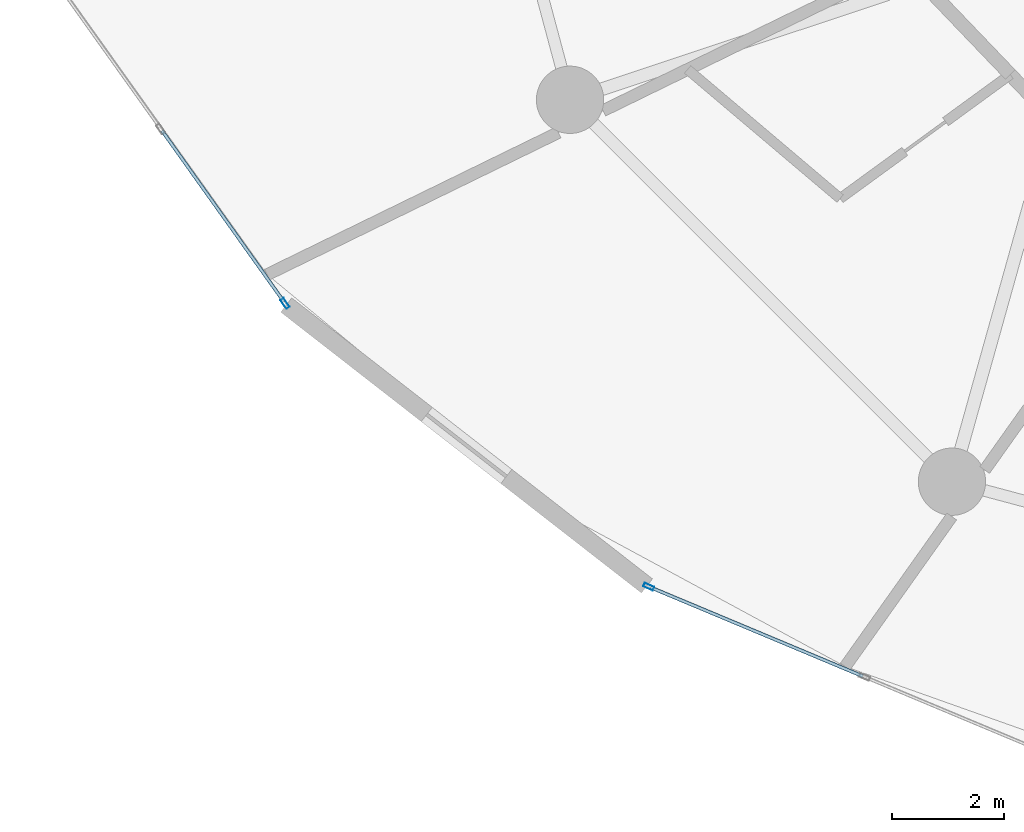
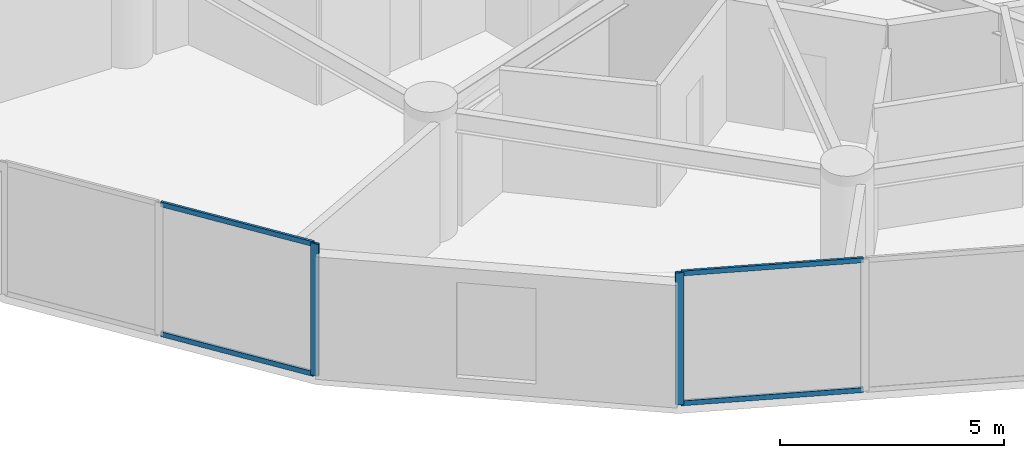
# One storey, part 2 of 25: 6 members, 2 elements without a shape of their own.
"""IFC4 building model written with IfcOpenShell, lengths in metres."""

from ifc_helpers import new_model, si_unit, direction, frame, origin, origin_2d, place, context, subcontext, project, spatial, hollow_rectangle, extrude, source, transform, mapped, material, layer, layer_set, material_profile, profile_set, type_object, element, aggregate, save


model = new_model("IFC4")

# Units and contexts
model_context = context("Model", 3, precision=1e-05, world=origin(), true_north=direction((0.0, 1.0)))
body_context = subcontext(model_context, "Body", "Model", "MODEL_VIEW")
ifc_project = project(units=[si_unit("LENGTHUNIT", "METRE"), si_unit("AREAUNIT", "SQUARE_METRE"), si_unit("VOLUMEUNIT", "CUBIC_METRE"), si_unit("PLANEANGLEUNIT", "RADIAN"), si_unit("MASSUNIT", "GRAM", prefix="KILO")], contexts=[model_context])

# Site, building, storey
site_placement = place(None, origin())
site = spatial("IfcSite", under=ifc_project, at=site_placement, CompositionType="ELEMENT")
building_placement = place(site_placement, origin())
building = spatial("IfcBuilding", under=site, at=building_placement, Name="Solvirekh Grand Hotel", CompositionType="ELEMENT")
storey_placement = place(building_placement, frame((0.0, 0.0, 60.800048828125)))
storey = spatial("IfcBuildingStorey", under=building, at=storey_placement, Name="L14", CompositionType="ELEMENT", Elevation=60.800048828125)

# Curtain wall, members
ifc_material = material(Name="Anodized Bronze Aluminium 6063-T6", Category="aluminium")
ifc_layer = layer(ifc_material, 0.18994140625)
ifc_layer_set = layer_set([ifc_layer], Name="Anodized Bronze Aluminium 6063-T6")
curtain_wall_type = type_object("IfcCurtainWallType", Name="CW_Sys2_LowZoneFlushBronzeCW", PredefinedType="NOTDEFINED", material=ifc_layer_set)
curtain_wall_1_placement = place(storey_placement, origin())
curtain_wall_1 = element("IfcCurtainWall", 1, at=curtain_wall_1_placement, inside=storey, type_object=curtain_wall_type, Name="L14 unitised bronze-glass curtain wall CW-L14-C15", PredefinedType="NOTDEFINED")
ifc_material_profile_1 = material_profile(ifc_material, hollow_rectangle(XDim=0.06005859375, YDim=0.135009765625, WallThickness=0.00390625, at=origin_2d()), Name="ALU RHS 135X60X4")
ifc_profile_set_1 = profile_set([ifc_material_profile_1], Name="Anodized Bronze Aluminium 6063-T6")
member_type_1 = type_object("IfcMemberType", Name="CWTransom_Sys2", PredefinedType="USERDEFINED", material=ifc_profile_set_1)
shared_shape_1 = source(origin(), body_context, "Body", "SweptSolid", [
    extrude(hollow_rectangle(XDim=0.06005859375, YDim=0.135009765625, WallThickness=0.00390625, at=origin_2d()), origin(), (0.0, 0.0, 1.0), 4.1015625),
])
member_1_placement = place(storey_placement, frame((-14.67333984375, -17.992919921875, 0.030029296875), z_axis=(0.922464654272, -0.386081547887, 0.0), x_axis=(0.386081547887, 0.922464654272, 0.0)))
member_1 = element("IfcMember", 2, at=member_1_placement, type_object=member_type_1, Name="U02 transom 1.1", ObjectType="TRANSOM", PredefinedType="USERDEFINED", context=body_context, shape_type="MappedRepresentation", body=[
    mapped(shared_shape_1, transform((0.0, 0.0, 0.0), x_axis=(1.0, 0.0, 0.0), y_axis=(0.0, 1.0, 0.0), z_axis=(0.0, 0.0, 1.0), scale=1.0)),
])
member_2_placement = place(storey_placement, frame((-14.67333984375, -17.992919921875, 3.570068359375), z_axis=(0.922464654272, -0.386081547887, 0.0), x_axis=(0.386081547887, 0.922464654272, 0.0)))
member_2 = element("IfcMember", 3, at=member_2_placement, type_object=member_type_1, Name="U02 transom 1.2", ObjectType="TRANSOM", PredefinedType="USERDEFINED", context=body_context, shape_type="MappedRepresentation", body=[
    mapped(shared_shape_1, transform((0.0, 0.0, 0.0), x_axis=(1.0, 0.0, 0.0), y_axis=(0.0, 1.0, 0.0), z_axis=(0.0, 0.0, 1.0), scale=1.0)),
])

# Curtain wall, member
curtain_wall_2_placement = place(storey_placement, origin())
curtain_wall_2 = element("IfcCurtainWall", 4, at=curtain_wall_2_placement, inside=storey, type_object=curtain_wall_type, Name="L14 unitised bronze-glass curtain wall CW-L14-C13", PredefinedType="NOTDEFINED")
ifc_material_profile_2 = material_profile(ifc_material, hollow_rectangle(XDim=0.070068359375, YDim=0.18994140625, WallThickness=0.0048828125, at=origin_2d()), Name="ALU RHS 190X70X5")
ifc_profile_set_2 = profile_set([ifc_material_profile_2], Name="Anodized Bronze Aluminium 6063-T6")
member_type_2 = type_object("IfcMemberType", Name="CWMullion_Sys2", PredefinedType="MULLION", material=ifc_profile_set_2)
shared_shape_2 = source(origin(), body_context, "Body", "SweptSolid", [
    extrude(hollow_rectangle(XDim=0.070068359375, YDim=0.18994140625, WallThickness=0.0048828125, at=origin_2d()), origin(), (0.0, 0.0, 1.0), 3.599853515625),
])
member_3_placement = place(storey_placement, frame((-21.188232421875, -12.930419921875, 0.0), z_axis=(0.0, 0.0, 1.0), x_axis=(0.814521945724, 0.580132743373, 0.0)))
member_3 = element("IfcMember", 5, at=member_3_placement, type_object=member_type_2, Name="U02 mullion 3", PredefinedType="MULLION", context=body_context, shape_type="MappedRepresentation", body=[
    mapped(shared_shape_2, transform((0.0, 0.0, 0.0), x_axis=(1.0, 0.0, 0.0), y_axis=(0.0, 1.0, 0.0), z_axis=(0.0, 0.0, 1.0), scale=1.0)),
])

# Member
member_4_placement = place(storey_placement, frame((-14.705810546875, -17.9794921875, 0.0), z_axis=(0.0, 0.0, 1.0), x_axis=(0.38605811719, 0.922474460433, 0.0)))
member_4 = element("IfcMember", 6, at=member_4_placement, type_object=member_type_2, Name="U02 mullion 1", PredefinedType="MULLION", context=body_context, shape_type="MappedRepresentation", body=[
    mapped(shared_shape_2, transform((0.0, 0.0, 0.0), x_axis=(1.0, 0.0, 0.0), y_axis=(0.0, 1.0, 0.0), z_axis=(0.0, 0.0, 1.0), scale=1.0)),
])

aggregate(curtain_wall_1, [member_4, member_1, member_2])

shared_shape_3 = source(origin(), body_context, "Body", "SweptSolid", [
    extrude(hollow_rectangle(XDim=0.06005859375, YDim=0.135009765625, WallThickness=0.00390625, at=origin_2d()), origin(), (0.0, 0.0, 1.0), 3.747802734375),
])
member_5_placement = place(storey_placement, frame((-23.3828125, -9.849609375, 0.030029296875), z_axis=(0.5801716237, -0.814494252315, 0.0), x_axis=(0.814494252315, 0.5801716237, 0.0)))
member_5 = element("IfcMember", 7, at=member_5_placement, type_object=member_type_1, Name="U02 transom 2.1", ObjectType="TRANSOM", PredefinedType="USERDEFINED", context=body_context, shape_type="MappedRepresentation", body=[
    mapped(shared_shape_3, transform((0.0, 0.0, 0.0), x_axis=(1.0, 0.0, 0.0), y_axis=(0.0, 1.0, 0.0), z_axis=(0.0, 0.0, 1.0), scale=1.0)),
])

member_6_placement = place(storey_placement, frame((-23.3828125, -9.849609375, 3.570068359375), z_axis=(0.5801716237, -0.814494252315, 0.0), x_axis=(0.814494252315, 0.5801716237, 0.0)))
member_6 = element("IfcMember", 8, at=member_6_placement, type_object=member_type_1, Name="U02 transom 2.2", ObjectType="TRANSOM", PredefinedType="USERDEFINED", context=body_context, shape_type="MappedRepresentation", body=[
    mapped(shared_shape_3, transform((0.0, 0.0, 0.0), x_axis=(1.0, 0.0, 0.0), y_axis=(0.0, 1.0, 0.0), z_axis=(0.0, 0.0, 1.0), scale=1.0)),
])

aggregate(curtain_wall_2, [member_3, member_5, member_6])

save(model, "model.ifc")
